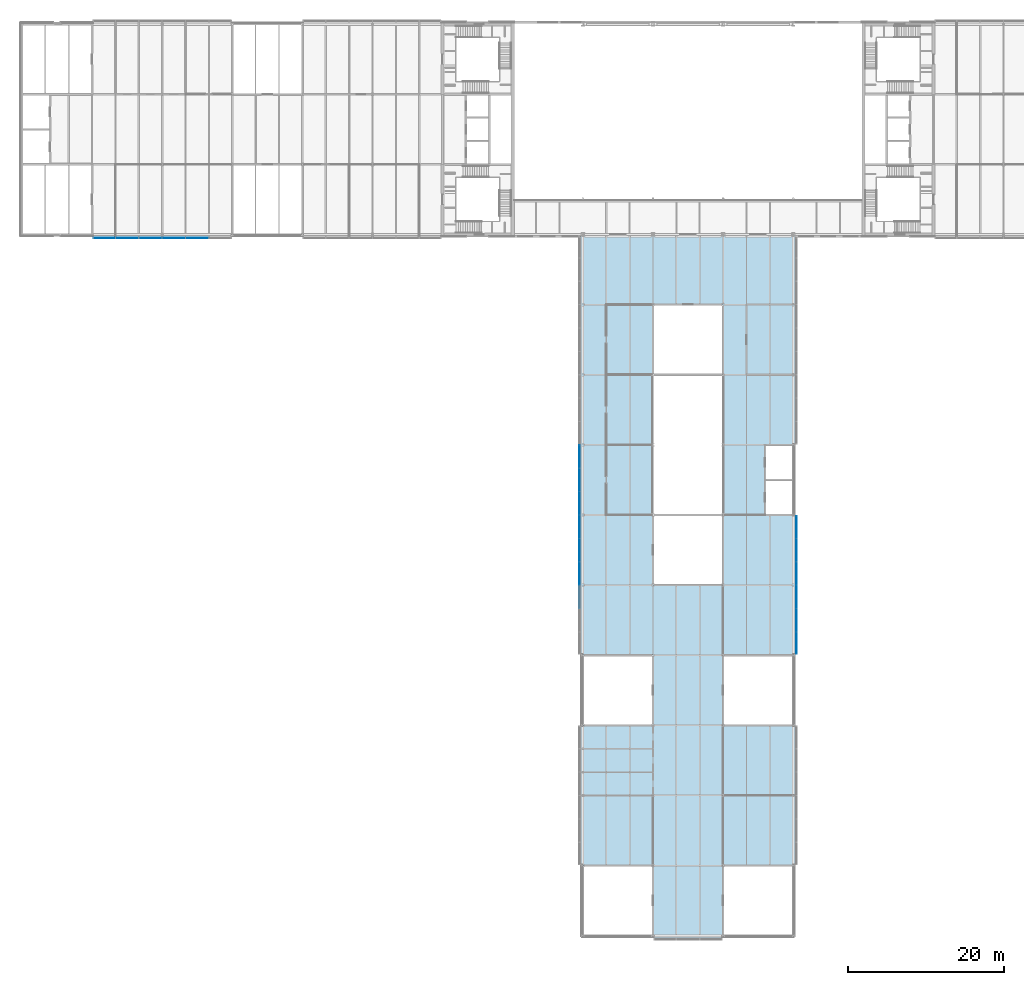
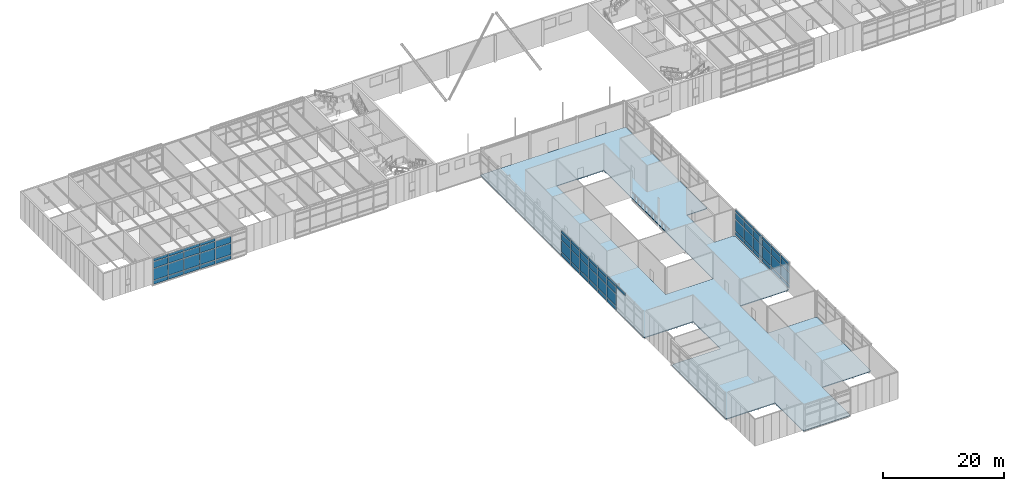
# One storey, part 30 of 46: 68 plates, 1 slab, 3 elements without a shape of their own.
"""IFC4 building model written with IfcOpenShell, lengths in metres."""

from ifc_helpers import new_model, si_unit, direction, frame, origin, origin_2d, place, context, subcontext, project, spatial, polyline, rectangle, outline, extrude, material, layer, layer_set, type_object, element, aggregate, save


model = new_model("IFC4")

# Units and contexts
model_context = context("Model", 3, precision=1e-05, world=origin(), true_north=direction((0.0, 1.0)))
body_context = subcontext(model_context, "Body", "Model", "MODEL_VIEW")
ifc_project = project(units=[si_unit("LENGTHUNIT", "METRE"), si_unit("AREAUNIT", "SQUARE_METRE"), si_unit("VOLUMEUNIT", "CUBIC_METRE"), si_unit("PLANEANGLEUNIT", "RADIAN"), si_unit("MASSUNIT", "GRAM", prefix="KILO")], contexts=[model_context])

# Site, building, storey
site_placement = place(None, origin())
site = spatial("IfcSite", under=ifc_project, at=site_placement, CompositionType="ELEMENT")
building_placement = place(site_placement, origin())
building = spatial("IfcBuilding", under=site, at=building_placement, Name="Azimuth Sports and Learning Centre", CompositionType="ELEMENT")
storey_placement = place(building_placement, frame((0.0, 0.0, 21.60009765625)))
storey = spatial("IfcBuildingStorey", under=building, at=storey_placement, Name="L04", CompositionType="ELEMENT", Elevation=21.60009765625)

# Slab
ifc_material_1 = material(Name="Concrete C30/37", Category="concrete")
ifc_layer_1 = layer(ifc_material_1, 0.14990234375)
ifc_layer_set_1 = layer_set([ifc_layer_1], Name="Concrete C30/37")
slab_type = type_object("IfcSlabType", Name="Composite floor slab 150", PredefinedType="FLOOR", material=ifc_layer_set_1)
slab_placement = place(storey_placement, frame((0.0, 0.0, -0.150146484375)))
element("IfcSlab", 1, at=slab_placement, inside=storey, type_object=slab_type, Name="Slab STEM L04", PredefinedType="FLOOR", context=body_context, shape_type="SweptSolid", body=[
    extrude(outline(polyline([(81.10009765625, -0.300048828125), (89.89990234375, -0.300048828125), (89.89990234375, 0.0), (90.0, 0.0), (90.0, 9.0), (99.0, 9.0), (99.0, 9.10009765625), (99.300048828125, 9.10009765625), (99.300048828125, 26.89990234375), (99.0, 26.89990234375), (99.0, 27.0), (90.0, 27.0), (90.0, 36.0), (99.0, 36.0), (99.0, 36.10009765625), (99.300048828125, 36.10009765625), (99.300048828125, 53.89990234375), (99.0, 53.89990234375), (99.0, 54.0), (95.39990234375, 54.0), (95.39990234375, 63.0), (99.0, 63.0), (99.0, 63.10009765625), (99.300048828125, 63.10009765625), (99.300048828125, 90.0), (71.699951171875, 90.0), (71.699951171875, 36.10009765625), (72.0, 36.10009765625), (72.0, 36.0), (81.0, 36.0), (81.0, 27.0), (72.0, 27.0), (72.0, 26.89990234375), (71.699951171875, 26.89990234375), (71.699951171875, 9.10009765625), (72.0, 9.10009765625), (72.0, 9.0), (81.0, 9.0), (81.0, 0.0), (81.10009765625, 0.0), (81.10009765625, -0.300048828125)]), holes=[polyline([(81.0, 45.0), (81.0, 81.0), (90.0, 81.0), (90.0, 45.0), (81.0, 45.0)])]), origin(), (0.0, 0.0, 1.0), 0.150146484375),
])

# Curtain wall, plates
ifc_material_2 = material(Name="Aluminium and glass", Category="aluminium")
curtain_wall_type_1 = type_object("IfcCurtainWallType", Name="Curtain wall podium wing 240", PredefinedType="NOTDEFINED", material=ifc_material_2)
curtain_wall_1_placement = place(storey_placement, origin())
curtain_wall_1 = element("IfcCurtainWall", 2, at=curtain_wall_1_placement, inside=storey, type_object=curtain_wall_type_1, Name="Curtain wall CW04-001", PredefinedType="NOTDEFINED")
ifc_material_3 = material(Name="Insulated aluminium panel", Category="aluminium")
ifc_layer_2 = layer(ifc_material_3, 0.06005859375)
ifc_layer_set_2 = layer_set([ifc_layer_2], Name="Insulated aluminium panel")
plate_type_1 = type_object("IfcPlateType", Name="Spandrel panel 60 mm", PredefinedType="CURTAIN_PANEL", material=ifc_layer_set_2)
plate_1_placement = place(storey_placement, frame((10.594970703125, 89.580078125, 0.1201171875), z_axis=(0.0, 0.0, 1.0), x_axis=(1.0, 0.0, 0.0)))
plate_1 = element("IfcPlate", 3, at=plate_1_placement, type_object=plate_type_1, Name="CW04-001 panel 1.1", PredefinedType="CURTAIN_PANEL", context=body_context, shape_type="SweptSolid", body=[
    extrude(rectangle(XDim=2.72998046875, YDim=0.06005859375, at=origin_2d()), origin(), (0.0, 0.0, 1.0), 0.719970703125),
])
plate_2_placement = place(storey_placement, frame((10.594970703125, 89.580078125, 4.760009765625), z_axis=(0.0, 0.0, 1.0), x_axis=(1.0, 0.0, 0.0)))
plate_2 = element("IfcPlate", 4, at=plate_2_placement, type_object=plate_type_1, Name="CW04-001 panel 1.4", PredefinedType="CURTAIN_PANEL", context=body_context, shape_type="SweptSolid", body=[
    extrude(rectangle(XDim=2.72998046875, YDim=0.06005859375, at=origin_2d()), origin(), (0.0, 0.0, 1.0), 0.52001953125),
])
plate_3_placement = place(storey_placement, frame((13.5, 89.580078125, 0.1201171875), z_axis=(0.0, 0.0, 1.0), x_axis=(1.0, 0.0, 0.0)))
plate_3 = element("IfcPlate", 5, at=plate_3_placement, type_object=plate_type_1, Name="CW04-001 panel 2.1", PredefinedType="CURTAIN_PANEL", context=body_context, shape_type="SweptSolid", body=[
    extrude(rectangle(XDim=2.919921875, YDim=0.06005859375, at=origin_2d()), origin(), (0.0, 0.0, 1.0), 0.719970703125),
])
plate_4_placement = place(storey_placement, frame((13.5, 89.580078125, 4.760009765625), z_axis=(0.0, 0.0, 1.0), x_axis=(1.0, 0.0, 0.0)))
plate_4 = element("IfcPlate", 6, at=plate_4_placement, type_object=plate_type_1, Name="CW04-001 panel 2.4", PredefinedType="CURTAIN_PANEL", context=body_context, shape_type="SweptSolid", body=[
    extrude(rectangle(XDim=2.919921875, YDim=0.06005859375, at=origin_2d()), origin(), (0.0, 0.0, 1.0), 0.52001953125),
])
plate_5_placement = place(storey_placement, frame((16.5, 89.580078125, 0.1201171875), z_axis=(0.0, 0.0, 1.0), x_axis=(1.0, 0.0, 0.0)))
plate_5 = element("IfcPlate", 7, at=plate_5_placement, type_object=plate_type_1, Name="CW04-001 panel 3.1", PredefinedType="CURTAIN_PANEL", context=body_context, shape_type="SweptSolid", body=[
    extrude(rectangle(XDim=2.919921875, YDim=0.06005859375, at=origin_2d()), origin(), (0.0, 0.0, 1.0), 0.719970703125),
])
plate_6_placement = place(storey_placement, frame((16.5, 89.580078125, 4.760009765625), z_axis=(0.0, 0.0, 1.0), x_axis=(1.0, 0.0, 0.0)))
plate_6 = element("IfcPlate", 8, at=plate_6_placement, type_object=plate_type_1, Name="CW04-001 panel 3.4", PredefinedType="CURTAIN_PANEL", context=body_context, shape_type="SweptSolid", body=[
    extrude(rectangle(XDim=2.919921875, YDim=0.06005859375, at=origin_2d()), origin(), (0.0, 0.0, 1.0), 0.52001953125),
])
plate_7_placement = place(storey_placement, frame((19.5, 89.580078125, 0.1201171875), z_axis=(0.0, 0.0, 1.0), x_axis=(1.0, 0.0, 0.0)))
plate_7 = element("IfcPlate", 9, at=plate_7_placement, type_object=plate_type_1, Name="CW04-001 panel 4.1", PredefinedType="CURTAIN_PANEL", context=body_context, shape_type="SweptSolid", body=[
    extrude(rectangle(XDim=2.919921875, YDim=0.06005859375, at=origin_2d()), origin(), (0.0, 0.0, 1.0), 0.719970703125),
])
plate_8_placement = place(storey_placement, frame((19.5, 89.580078125, 4.760009765625), z_axis=(0.0, 0.0, 1.0), x_axis=(1.0, 0.0, 0.0)))
plate_8 = element("IfcPlate", 10, at=plate_8_placement, type_object=plate_type_1, Name="CW04-001 panel 4.4", PredefinedType="CURTAIN_PANEL", context=body_context, shape_type="SweptSolid", body=[
    extrude(rectangle(XDim=2.919921875, YDim=0.06005859375, at=origin_2d()), origin(), (0.0, 0.0, 1.0), 0.52001953125),
])
plate_9_placement = place(storey_placement, frame((22.5, 89.580078125, 0.1201171875), z_axis=(0.0, 0.0, 1.0), x_axis=(1.0, 0.0, 0.0)))
plate_9 = element("IfcPlate", 11, at=plate_9_placement, type_object=plate_type_1, Name="CW04-001 panel 5.1", PredefinedType="CURTAIN_PANEL", context=body_context, shape_type="SweptSolid", body=[
    extrude(rectangle(XDim=2.919921875, YDim=0.06005859375, at=origin_2d()), origin(), (0.0, 0.0, 1.0), 0.719970703125),
])

ifc_material_4 = material(Name="Aluminium and glass", Category="aluminium")
curtain_wall_type_2 = type_object("IfcCurtainWallType", Name="Curtain wall podium stem 240", PredefinedType="NOTDEFINED", material=ifc_material_4)
curtain_wall_2_placement = place(storey_placement, origin())
curtain_wall_2 = element("IfcCurtainWall", 12, at=curtain_wall_2_placement, inside=storey, type_object=curtain_wall_type_2, Name="Curtain wall CW04-003", PredefinedType="NOTDEFINED")
plate_10_placement = place(storey_placement, frame((71.580078125, 61.5, 0.1201171875), z_axis=(0.0, 0.0, 1.0), x_axis=(0.0, -1.0, 0.0)))
plate_10 = element("IfcPlate", 13, at=plate_10_placement, type_object=plate_type_1, Name="CW04-003 panel 10.1", PredefinedType="CURTAIN_PANEL", context=body_context, shape_type="SweptSolid", body=[
    extrude(rectangle(XDim=2.919921875, YDim=0.06005859375, at=origin_2d()), origin(), (0.0, 0.0, 1.0), 0.719970703125),
])
plate_11_placement = place(storey_placement, frame((71.580078125, 61.5, 4.760009765625), z_axis=(0.0, 0.0, 1.0), x_axis=(0.0, -1.0, 0.0)))
plate_11 = element("IfcPlate", 14, at=plate_11_placement, type_object=plate_type_1, Name="CW04-003 panel 10.4", PredefinedType="CURTAIN_PANEL", context=body_context, shape_type="SweptSolid", body=[
    extrude(rectangle(XDim=2.919921875, YDim=0.06005859375, at=origin_2d()), origin(), (0.0, 0.0, 1.0), 0.52001953125),
])
plate_12_placement = place(storey_placement, frame((71.580078125, 58.5, 0.1201171875), z_axis=(0.0, 0.0, 1.0), x_axis=(0.0, -1.0, 0.0)))
plate_12 = element("IfcPlate", 15, at=plate_12_placement, type_object=plate_type_1, Name="CW04-003 panel 11.1", PredefinedType="CURTAIN_PANEL", context=body_context, shape_type="SweptSolid", body=[
    extrude(rectangle(XDim=2.919921875, YDim=0.06005859375, at=origin_2d()), origin(), (0.0, 0.0, 1.0), 0.719970703125),
])
plate_13_placement = place(storey_placement, frame((71.580078125, 58.5, 4.760009765625), z_axis=(0.0, 0.0, 1.0), x_axis=(0.0, -1.0, 0.0)))
plate_13 = element("IfcPlate", 16, at=plate_13_placement, type_object=plate_type_1, Name="CW04-003 panel 11.4", PredefinedType="CURTAIN_PANEL", context=body_context, shape_type="SweptSolid", body=[
    extrude(rectangle(XDim=2.919921875, YDim=0.06005859375, at=origin_2d()), origin(), (0.0, 0.0, 1.0), 0.52001953125),
])
plate_14_placement = place(storey_placement, frame((71.580078125, 55.5, 0.1201171875), z_axis=(0.0, 0.0, 1.0), x_axis=(0.0, -1.0, 0.0)))
plate_14 = element("IfcPlate", 17, at=plate_14_placement, type_object=plate_type_1, Name="CW04-003 panel 12.1", PredefinedType="CURTAIN_PANEL", context=body_context, shape_type="SweptSolid", body=[
    extrude(rectangle(XDim=2.919921875, YDim=0.06005859375, at=origin_2d()), origin(), (0.0, 0.0, 1.0), 0.719970703125),
])
plate_15_placement = place(storey_placement, frame((71.580078125, 55.5, 4.760009765625), z_axis=(0.0, 0.0, 1.0), x_axis=(0.0, -1.0, 0.0)))
plate_15 = element("IfcPlate", 18, at=plate_15_placement, type_object=plate_type_1, Name="CW04-003 panel 12.4", PredefinedType="CURTAIN_PANEL", context=body_context, shape_type="SweptSolid", body=[
    extrude(rectangle(XDim=2.919921875, YDim=0.06005859375, at=origin_2d()), origin(), (0.0, 0.0, 1.0), 0.52001953125),
])
plate_16_placement = place(storey_placement, frame((71.580078125, 52.5, 0.1201171875), z_axis=(0.0, 0.0, 1.0), x_axis=(0.0, -1.0, 0.0)))
plate_16 = element("IfcPlate", 19, at=plate_16_placement, type_object=plate_type_1, Name="CW04-003 panel 13.1", PredefinedType="CURTAIN_PANEL", context=body_context, shape_type="SweptSolid", body=[
    extrude(rectangle(XDim=2.919921875, YDim=0.06005859375, at=origin_2d()), origin(), (0.0, 0.0, 1.0), 0.719970703125),
])
plate_17_placement = place(storey_placement, frame((71.580078125, 52.5, 4.760009765625), z_axis=(0.0, 0.0, 1.0), x_axis=(0.0, -1.0, 0.0)))
plate_17 = element("IfcPlate", 20, at=plate_17_placement, type_object=plate_type_1, Name="CW04-003 panel 13.4", PredefinedType="CURTAIN_PANEL", context=body_context, shape_type="SweptSolid", body=[
    extrude(rectangle(XDim=2.919921875, YDim=0.06005859375, at=origin_2d()), origin(), (0.0, 0.0, 1.0), 0.52001953125),
])
plate_18_placement = place(storey_placement, frame((71.580078125, 49.5, 0.1201171875), z_axis=(0.0, 0.0, 1.0), x_axis=(0.0, -1.0, 0.0)))
plate_18 = element("IfcPlate", 21, at=plate_18_placement, type_object=plate_type_1, Name="CW04-003 panel 14.1", PredefinedType="CURTAIN_PANEL", context=body_context, shape_type="SweptSolid", body=[
    extrude(rectangle(XDim=2.919921875, YDim=0.06005859375, at=origin_2d()), origin(), (0.0, 0.0, 1.0), 0.719970703125),
])
plate_19_placement = place(storey_placement, frame((71.580078125, 49.5, 4.760009765625), z_axis=(0.0, 0.0, 1.0), x_axis=(0.0, -1.0, 0.0)))
plate_19 = element("IfcPlate", 22, at=plate_19_placement, type_object=plate_type_1, Name="CW04-003 panel 14.4", PredefinedType="CURTAIN_PANEL", context=body_context, shape_type="SweptSolid", body=[
    extrude(rectangle(XDim=2.919921875, YDim=0.06005859375, at=origin_2d()), origin(), (0.0, 0.0, 1.0), 0.52001953125),
])
plate_20_placement = place(storey_placement, frame((71.580078125, 46.5, 0.1201171875), z_axis=(0.0, 0.0, 1.0), x_axis=(0.0, -1.0, 0.0)))
plate_20 = element("IfcPlate", 23, at=plate_20_placement, type_object=plate_type_1, Name="CW04-003 panel 15.1", PredefinedType="CURTAIN_PANEL", context=body_context, shape_type="SweptSolid", body=[
    extrude(rectangle(XDim=2.919921875, YDim=0.06005859375, at=origin_2d()), origin(), (0.0, 0.0, 1.0), 0.719970703125),
])
plate_21_placement = place(storey_placement, frame((71.580078125, 46.5, 4.760009765625), z_axis=(0.0, 0.0, 1.0), x_axis=(0.0, -1.0, 0.0)))
plate_21 = element("IfcPlate", 24, at=plate_21_placement, type_object=plate_type_1, Name="CW04-003 panel 15.4", PredefinedType="CURTAIN_PANEL", context=body_context, shape_type="SweptSolid", body=[
    extrude(rectangle(XDim=2.919921875, YDim=0.06005859375, at=origin_2d()), origin(), (0.0, 0.0, 1.0), 0.52001953125),
])
plate_22_placement = place(storey_placement, frame((71.580078125, 43.5, 4.760009765625), z_axis=(0.0, 0.0, 1.0), x_axis=(0.0, -1.0, 0.0)))
plate_22 = element("IfcPlate", 25, at=plate_22_placement, type_object=plate_type_1, Name="CW04-003 panel 16.4", PredefinedType="CURTAIN_PANEL", context=body_context, shape_type="SweptSolid", body=[
    extrude(rectangle(XDim=2.919921875, YDim=0.06005859375, at=origin_2d()), origin(), (0.0, 0.0, 1.0), 0.52001953125),
])

curtain_wall_3_placement = place(storey_placement, origin())
curtain_wall_3 = element("IfcCurtainWall", 26, at=curtain_wall_3_placement, inside=storey, type_object=curtain_wall_type_2, Name="Curtain wall CW04-007", PredefinedType="NOTDEFINED")
plate_23_placement = place(storey_placement, frame((99.419921875, 37.570068359375, 0.1201171875), z_axis=(0.0, 0.0, 1.0), x_axis=(0.0, 1.0, 0.0)))
plate_23 = element("IfcPlate", 27, at=plate_23_placement, type_object=plate_type_1, Name="CW04-007 panel 1.1", PredefinedType="CURTAIN_PANEL", context=body_context, shape_type="SweptSolid", body=[
    extrude(rectangle(XDim=2.780029296875, YDim=0.06005859375, at=origin_2d()), origin(), (0.0, 0.0, 1.0), 0.719970703125),
])
plate_24_placement = place(storey_placement, frame((99.419921875, 37.570068359375, 4.760009765625), z_axis=(0.0, 0.0, 1.0), x_axis=(0.0, 1.0, 0.0)))
plate_24 = element("IfcPlate", 28, at=plate_24_placement, type_object=plate_type_1, Name="CW04-007 panel 1.4", PredefinedType="CURTAIN_PANEL", context=body_context, shape_type="SweptSolid", body=[
    extrude(rectangle(XDim=2.780029296875, YDim=0.06005859375, at=origin_2d()), origin(), (0.0, 0.0, 1.0), 0.52001953125),
])
plate_25_placement = place(storey_placement, frame((99.419921875, 40.5, 0.1201171875), z_axis=(0.0, 0.0, 1.0), x_axis=(0.0, 1.0, 0.0)))
plate_25 = element("IfcPlate", 29, at=plate_25_placement, type_object=plate_type_1, Name="CW04-007 panel 2.1", PredefinedType="CURTAIN_PANEL", context=body_context, shape_type="SweptSolid", body=[
    extrude(rectangle(XDim=2.919921875, YDim=0.06005859375, at=origin_2d()), origin(), (0.0, 0.0, 1.0), 0.719970703125),
])
plate_26_placement = place(storey_placement, frame((99.419921875, 40.5, 4.760009765625), z_axis=(0.0, 0.0, 1.0), x_axis=(0.0, 1.0, 0.0)))
plate_26 = element("IfcPlate", 30, at=plate_26_placement, type_object=plate_type_1, Name="CW04-007 panel 2.4", PredefinedType="CURTAIN_PANEL", context=body_context, shape_type="SweptSolid", body=[
    extrude(rectangle(XDim=2.919921875, YDim=0.06005859375, at=origin_2d()), origin(), (0.0, 0.0, 1.0), 0.52001953125),
])
plate_27_placement = place(storey_placement, frame((99.419921875, 43.5, 0.1201171875), z_axis=(0.0, 0.0, 1.0), x_axis=(0.0, 1.0, 0.0)))
plate_27 = element("IfcPlate", 31, at=plate_27_placement, type_object=plate_type_1, Name="CW04-007 panel 3.1", PredefinedType="CURTAIN_PANEL", context=body_context, shape_type="SweptSolid", body=[
    extrude(rectangle(XDim=2.919921875, YDim=0.06005859375, at=origin_2d()), origin(), (0.0, 0.0, 1.0), 0.719970703125),
])
plate_28_placement = place(storey_placement, frame((99.419921875, 43.5, 4.760009765625), z_axis=(0.0, 0.0, 1.0), x_axis=(0.0, 1.0, 0.0)))
plate_28 = element("IfcPlate", 32, at=plate_28_placement, type_object=plate_type_1, Name="CW04-007 panel 3.4", PredefinedType="CURTAIN_PANEL", context=body_context, shape_type="SweptSolid", body=[
    extrude(rectangle(XDim=2.919921875, YDim=0.06005859375, at=origin_2d()), origin(), (0.0, 0.0, 1.0), 0.52001953125),
])
plate_29_placement = place(storey_placement, frame((99.419921875, 46.5, 0.1201171875), z_axis=(0.0, 0.0, 1.0), x_axis=(0.0, 1.0, 0.0)))
plate_29 = element("IfcPlate", 33, at=plate_29_placement, type_object=plate_type_1, Name="CW04-007 panel 4.1", PredefinedType="CURTAIN_PANEL", context=body_context, shape_type="SweptSolid", body=[
    extrude(rectangle(XDim=2.919921875, YDim=0.06005859375, at=origin_2d()), origin(), (0.0, 0.0, 1.0), 0.719970703125),
])
plate_30_placement = place(storey_placement, frame((99.419921875, 46.5, 4.760009765625), z_axis=(0.0, 0.0, 1.0), x_axis=(0.0, 1.0, 0.0)))
plate_30 = element("IfcPlate", 34, at=plate_30_placement, type_object=plate_type_1, Name="CW04-007 panel 4.4", PredefinedType="CURTAIN_PANEL", context=body_context, shape_type="SweptSolid", body=[
    extrude(rectangle(XDim=2.919921875, YDim=0.06005859375, at=origin_2d()), origin(), (0.0, 0.0, 1.0), 0.52001953125),
])
plate_31_placement = place(storey_placement, frame((99.419921875, 49.5, 0.1201171875), z_axis=(0.0, 0.0, 1.0), x_axis=(0.0, 1.0, 0.0)))
plate_31 = element("IfcPlate", 35, at=plate_31_placement, type_object=plate_type_1, Name="CW04-007 panel 5.1", PredefinedType="CURTAIN_PANEL", context=body_context, shape_type="SweptSolid", body=[
    extrude(rectangle(XDim=2.919921875, YDim=0.06005859375, at=origin_2d()), origin(), (0.0, 0.0, 1.0), 0.719970703125),
])
plate_32_placement = place(storey_placement, frame((99.419921875, 49.5, 4.760009765625), z_axis=(0.0, 0.0, 1.0), x_axis=(0.0, 1.0, 0.0)))
plate_32 = element("IfcPlate", 36, at=plate_32_placement, type_object=plate_type_1, Name="CW04-007 panel 5.4", PredefinedType="CURTAIN_PANEL", context=body_context, shape_type="SweptSolid", body=[
    extrude(rectangle(XDim=2.919921875, YDim=0.06005859375, at=origin_2d()), origin(), (0.0, 0.0, 1.0), 0.52001953125),
])
plate_33_placement = place(storey_placement, frame((99.419921875, 52.429931640625, 0.1201171875), z_axis=(0.0, 0.0, 1.0), x_axis=(0.0, 1.0, 0.0)))
plate_33 = element("IfcPlate", 37, at=plate_33_placement, type_object=plate_type_1, Name="CW04-007 panel 6.1", PredefinedType="CURTAIN_PANEL", context=body_context, shape_type="SweptSolid", body=[
    extrude(rectangle(XDim=2.780029296875, YDim=0.06005859375, at=origin_2d()), origin(), (0.0, 0.0, 1.0), 0.719970703125),
])
plate_34_placement = place(storey_placement, frame((99.419921875, 52.429931640625, 4.760009765625), z_axis=(0.0, 0.0, 1.0), x_axis=(0.0, 1.0, 0.0)))
plate_34 = element("IfcPlate", 38, at=plate_34_placement, type_object=plate_type_1, Name="CW04-007 panel 6.4", PredefinedType="CURTAIN_PANEL", context=body_context, shape_type="SweptSolid", body=[
    extrude(rectangle(XDim=2.780029296875, YDim=0.06005859375, at=origin_2d()), origin(), (0.0, 0.0, 1.0), 0.52001953125),
])

# Plate
ifc_material_5 = material(Name="Glass", Category="glass")
ifc_layer_3 = layer(ifc_material_5, 0.0439453125)
ifc_layer_set_3 = layer_set([ifc_layer_3], Name="Glass")
plate_type_2 = type_object("IfcPlateType", Name="Vision glass 44 mm", PredefinedType="CURTAIN_PANEL", material=ifc_layer_set_3)
plate_35_placement = place(storey_placement, frame((10.594970703125, 89.580078125, 0.9599609375), z_axis=(0.0, 0.0, 1.0), x_axis=(1.0, 0.0, 0.0)))
plate_35 = element("IfcPlate", 39, at=plate_35_placement, type_object=plate_type_2, Name="CW04-001 panel 1.2", PredefinedType="CURTAIN_PANEL", context=body_context, shape_type="SweptSolid", body=[
    extrude(rectangle(XDim=2.72998046875, YDim=0.0439453125, at=origin_2d()), origin(), (0.0, 0.0, 1.0), 2.280029296875),
])

plate_36_placement = place(storey_placement, frame((10.594970703125, 89.580078125, 3.35986328125), z_axis=(0.0, 0.0, 1.0), x_axis=(1.0, 0.0, 0.0)))
plate_36 = element("IfcPlate", 40, at=plate_36_placement, type_object=plate_type_2, Name="CW04-001 panel 1.3", PredefinedType="CURTAIN_PANEL", context=body_context, shape_type="SweptSolid", body=[
    extrude(rectangle(XDim=2.72998046875, YDim=0.0439453125, at=origin_2d()), origin(), (0.0, 0.0, 1.0), 1.280029296875),
])

plate_37_placement = place(storey_placement, frame((13.5, 89.580078125, 0.9599609375), z_axis=(0.0, 0.0, 1.0), x_axis=(1.0, 0.0, 0.0)))
plate_37 = element("IfcPlate", 41, at=plate_37_placement, type_object=plate_type_2, Name="CW04-001 panel 2.2", PredefinedType="CURTAIN_PANEL", context=body_context, shape_type="SweptSolid", body=[
    extrude(rectangle(XDim=2.919921875, YDim=0.0439453125, at=origin_2d()), origin(), (0.0, 0.0, 1.0), 2.280029296875),
])

plate_38_placement = place(storey_placement, frame((13.5, 89.580078125, 3.35986328125), z_axis=(0.0, 0.0, 1.0), x_axis=(1.0, 0.0, 0.0)))
plate_38 = element("IfcPlate", 42, at=plate_38_placement, type_object=plate_type_2, Name="CW04-001 panel 2.3", PredefinedType="CURTAIN_PANEL", context=body_context, shape_type="SweptSolid", body=[
    extrude(rectangle(XDim=2.919921875, YDim=0.0439453125, at=origin_2d()), origin(), (0.0, 0.0, 1.0), 1.280029296875),
])

plate_39_placement = place(storey_placement, frame((16.5, 89.580078125, 0.9599609375), z_axis=(0.0, 0.0, 1.0), x_axis=(1.0, 0.0, 0.0)))
plate_39 = element("IfcPlate", 43, at=plate_39_placement, type_object=plate_type_2, Name="CW04-001 panel 3.2", PredefinedType="CURTAIN_PANEL", context=body_context, shape_type="SweptSolid", body=[
    extrude(rectangle(XDim=2.919921875, YDim=0.0439453125, at=origin_2d()), origin(), (0.0, 0.0, 1.0), 2.280029296875),
])

plate_40_placement = place(storey_placement, frame((16.5, 89.580078125, 3.35986328125), z_axis=(0.0, 0.0, 1.0), x_axis=(1.0, 0.0, 0.0)))
plate_40 = element("IfcPlate", 44, at=plate_40_placement, type_object=plate_type_2, Name="CW04-001 panel 3.3", PredefinedType="CURTAIN_PANEL", context=body_context, shape_type="SweptSolid", body=[
    extrude(rectangle(XDim=2.919921875, YDim=0.0439453125, at=origin_2d()), origin(), (0.0, 0.0, 1.0), 1.280029296875),
])

plate_41_placement = place(storey_placement, frame((19.5, 89.580078125, 0.9599609375), z_axis=(0.0, 0.0, 1.0), x_axis=(1.0, 0.0, 0.0)))
plate_41 = element("IfcPlate", 45, at=plate_41_placement, type_object=plate_type_2, Name="CW04-001 panel 4.2", PredefinedType="CURTAIN_PANEL", context=body_context, shape_type="SweptSolid", body=[
    extrude(rectangle(XDim=2.919921875, YDim=0.0439453125, at=origin_2d()), origin(), (0.0, 0.0, 1.0), 2.280029296875),
])

plate_42_placement = place(storey_placement, frame((19.5, 89.580078125, 3.35986328125), z_axis=(0.0, 0.0, 1.0), x_axis=(1.0, 0.0, 0.0)))
plate_42 = element("IfcPlate", 46, at=plate_42_placement, type_object=plate_type_2, Name="CW04-001 panel 4.3", PredefinedType="CURTAIN_PANEL", context=body_context, shape_type="SweptSolid", body=[
    extrude(rectangle(XDim=2.919921875, YDim=0.0439453125, at=origin_2d()), origin(), (0.0, 0.0, 1.0), 1.280029296875),
])

plate_43_placement = place(storey_placement, frame((22.5, 89.580078125, 0.9599609375), z_axis=(0.0, 0.0, 1.0), x_axis=(1.0, 0.0, 0.0)))
plate_43 = element("IfcPlate", 47, at=plate_43_placement, type_object=plate_type_2, Name="CW04-001 panel 5.2", PredefinedType="CURTAIN_PANEL", context=body_context, shape_type="SweptSolid", body=[
    extrude(rectangle(XDim=2.919921875, YDim=0.0439453125, at=origin_2d()), origin(), (0.0, 0.0, 1.0), 2.280029296875),
])

plate_44_placement = place(storey_placement, frame((22.5, 89.580078125, 3.35986328125), z_axis=(0.0, 0.0, 1.0), x_axis=(1.0, 0.0, 0.0)))
plate_44 = element("IfcPlate", 48, at=plate_44_placement, type_object=plate_type_2, Name="CW04-001 panel 5.3", PredefinedType="CURTAIN_PANEL", context=body_context, shape_type="SweptSolid", body=[
    extrude(rectangle(XDim=2.919921875, YDim=0.0439453125, at=origin_2d()), origin(), (0.0, 0.0, 1.0), 1.280029296875),
])

aggregate(curtain_wall_1, [plate_1, plate_35, plate_36, plate_2, plate_3, plate_37, plate_38, plate_4, plate_5, plate_39, plate_40, plate_6, plate_7, plate_41, plate_42, plate_8, plate_9, plate_43, plate_44])

plate_45_placement = place(storey_placement, frame((71.580078125, 61.5, 0.9599609375), z_axis=(0.0, 0.0, 1.0), x_axis=(0.0, -1.0, 0.0)))
plate_45 = element("IfcPlate", 49, at=plate_45_placement, type_object=plate_type_2, Name="CW04-003 panel 10.2", PredefinedType="CURTAIN_PANEL", context=body_context, shape_type="SweptSolid", body=[
    extrude(rectangle(XDim=2.919921875, YDim=0.0439453125, at=origin_2d()), origin(), (0.0, 0.0, 1.0), 2.280029296875),
])

plate_46_placement = place(storey_placement, frame((71.580078125, 61.5, 3.35986328125), z_axis=(0.0, 0.0, 1.0), x_axis=(0.0, -1.0, 0.0)))
plate_46 = element("IfcPlate", 50, at=plate_46_placement, type_object=plate_type_2, Name="CW04-003 panel 10.3", PredefinedType="CURTAIN_PANEL", context=body_context, shape_type="SweptSolid", body=[
    extrude(rectangle(XDim=2.919921875, YDim=0.0439453125, at=origin_2d()), origin(), (0.0, 0.0, 1.0), 1.280029296875),
])

plate_47_placement = place(storey_placement, frame((71.580078125, 58.5, 0.9599609375), z_axis=(0.0, 0.0, 1.0), x_axis=(0.0, -1.0, 0.0)))
plate_47 = element("IfcPlate", 51, at=plate_47_placement, type_object=plate_type_2, Name="CW04-003 panel 11.2", PredefinedType="CURTAIN_PANEL", context=body_context, shape_type="SweptSolid", body=[
    extrude(rectangle(XDim=2.919921875, YDim=0.0439453125, at=origin_2d()), origin(), (0.0, 0.0, 1.0), 2.280029296875),
])

plate_48_placement = place(storey_placement, frame((71.580078125, 58.5, 3.35986328125), z_axis=(0.0, 0.0, 1.0), x_axis=(0.0, -1.0, 0.0)))
plate_48 = element("IfcPlate", 52, at=plate_48_placement, type_object=plate_type_2, Name="CW04-003 panel 11.3", PredefinedType="CURTAIN_PANEL", context=body_context, shape_type="SweptSolid", body=[
    extrude(rectangle(XDim=2.919921875, YDim=0.0439453125, at=origin_2d()), origin(), (0.0, 0.0, 1.0), 1.280029296875),
])

plate_49_placement = place(storey_placement, frame((71.580078125, 55.5, 0.9599609375), z_axis=(0.0, 0.0, 1.0), x_axis=(0.0, -1.0, 0.0)))
plate_49 = element("IfcPlate", 53, at=plate_49_placement, type_object=plate_type_2, Name="CW04-003 panel 12.2", PredefinedType="CURTAIN_PANEL", context=body_context, shape_type="SweptSolid", body=[
    extrude(rectangle(XDim=2.919921875, YDim=0.0439453125, at=origin_2d()), origin(), (0.0, 0.0, 1.0), 2.280029296875),
])

plate_50_placement = place(storey_placement, frame((71.580078125, 55.5, 3.35986328125), z_axis=(0.0, 0.0, 1.0), x_axis=(0.0, -1.0, 0.0)))
plate_50 = element("IfcPlate", 54, at=plate_50_placement, type_object=plate_type_2, Name="CW04-003 panel 12.3", PredefinedType="CURTAIN_PANEL", context=body_context, shape_type="SweptSolid", body=[
    extrude(rectangle(XDim=2.919921875, YDim=0.0439453125, at=origin_2d()), origin(), (0.0, 0.0, 1.0), 1.280029296875),
])

plate_51_placement = place(storey_placement, frame((71.580078125, 52.5, 0.9599609375), z_axis=(0.0, 0.0, 1.0), x_axis=(0.0, -1.0, 0.0)))
plate_51 = element("IfcPlate", 55, at=plate_51_placement, type_object=plate_type_2, Name="CW04-003 panel 13.2", PredefinedType="CURTAIN_PANEL", context=body_context, shape_type="SweptSolid", body=[
    extrude(rectangle(XDim=2.919921875, YDim=0.0439453125, at=origin_2d()), origin(), (0.0, 0.0, 1.0), 2.280029296875),
])

plate_52_placement = place(storey_placement, frame((71.580078125, 52.5, 3.35986328125), z_axis=(0.0, 0.0, 1.0), x_axis=(0.0, -1.0, 0.0)))
plate_52 = element("IfcPlate", 56, at=plate_52_placement, type_object=plate_type_2, Name="CW04-003 panel 13.3", PredefinedType="CURTAIN_PANEL", context=body_context, shape_type="SweptSolid", body=[
    extrude(rectangle(XDim=2.919921875, YDim=0.0439453125, at=origin_2d()), origin(), (0.0, 0.0, 1.0), 1.280029296875),
])

plate_53_placement = place(storey_placement, frame((71.580078125, 49.5, 0.9599609375), z_axis=(0.0, 0.0, 1.0), x_axis=(0.0, -1.0, 0.0)))
plate_53 = element("IfcPlate", 57, at=plate_53_placement, type_object=plate_type_2, Name="CW04-003 panel 14.2", PredefinedType="CURTAIN_PANEL", context=body_context, shape_type="SweptSolid", body=[
    extrude(rectangle(XDim=2.919921875, YDim=0.0439453125, at=origin_2d()), origin(), (0.0, 0.0, 1.0), 2.280029296875),
])

plate_54_placement = place(storey_placement, frame((71.580078125, 49.5, 3.35986328125), z_axis=(0.0, 0.0, 1.0), x_axis=(0.0, -1.0, 0.0)))
plate_54 = element("IfcPlate", 58, at=plate_54_placement, type_object=plate_type_2, Name="CW04-003 panel 14.3", PredefinedType="CURTAIN_PANEL", context=body_context, shape_type="SweptSolid", body=[
    extrude(rectangle(XDim=2.919921875, YDim=0.0439453125, at=origin_2d()), origin(), (0.0, 0.0, 1.0), 1.280029296875),
])

plate_55_placement = place(storey_placement, frame((71.580078125, 46.5, 0.9599609375), z_axis=(0.0, 0.0, 1.0), x_axis=(0.0, -1.0, 0.0)))
plate_55 = element("IfcPlate", 59, at=plate_55_placement, type_object=plate_type_2, Name="CW04-003 panel 15.2", PredefinedType="CURTAIN_PANEL", context=body_context, shape_type="SweptSolid", body=[
    extrude(rectangle(XDim=2.919921875, YDim=0.0439453125, at=origin_2d()), origin(), (0.0, 0.0, 1.0), 2.280029296875),
])

plate_56_placement = place(storey_placement, frame((71.580078125, 46.5, 3.35986328125), z_axis=(0.0, 0.0, 1.0), x_axis=(0.0, -1.0, 0.0)))
plate_56 = element("IfcPlate", 60, at=plate_56_placement, type_object=plate_type_2, Name="CW04-003 panel 15.3", PredefinedType="CURTAIN_PANEL", context=body_context, shape_type="SweptSolid", body=[
    extrude(rectangle(XDim=2.919921875, YDim=0.0439453125, at=origin_2d()), origin(), (0.0, 0.0, 1.0), 1.280029296875),
])

aggregate(curtain_wall_2, [plate_10, plate_45, plate_46, plate_11, plate_12, plate_47, plate_48, plate_13, plate_14, plate_49, plate_50, plate_15, plate_16, plate_51, plate_52, plate_17, plate_18, plate_53, plate_54, plate_19, plate_20, plate_55, plate_56, plate_21, plate_22])

plate_57_placement = place(storey_placement, frame((99.419921875, 37.570068359375, 0.9599609375), z_axis=(0.0, 0.0, 1.0), x_axis=(0.0, 1.0, 0.0)))
plate_57 = element("IfcPlate", 61, at=plate_57_placement, type_object=plate_type_2, Name="CW04-007 panel 1.2", PredefinedType="CURTAIN_PANEL", context=body_context, shape_type="SweptSolid", body=[
    extrude(rectangle(XDim=2.780029296875, YDim=0.0439453125, at=origin_2d()), origin(), (0.0, 0.0, 1.0), 2.280029296875),
])

plate_58_placement = place(storey_placement, frame((99.419921875, 37.570068359375, 3.35986328125), z_axis=(0.0, 0.0, 1.0), x_axis=(0.0, 1.0, 0.0)))
plate_58 = element("IfcPlate", 62, at=plate_58_placement, type_object=plate_type_2, Name="CW04-007 panel 1.3", PredefinedType="CURTAIN_PANEL", context=body_context, shape_type="SweptSolid", body=[
    extrude(rectangle(XDim=2.780029296875, YDim=0.0439453125, at=origin_2d()), origin(), (0.0, 0.0, 1.0), 1.280029296875),
])

plate_59_placement = place(storey_placement, frame((99.419921875, 40.5, 0.9599609375), z_axis=(0.0, 0.0, 1.0), x_axis=(0.0, 1.0, 0.0)))
plate_59 = element("IfcPlate", 63, at=plate_59_placement, type_object=plate_type_2, Name="CW04-007 panel 2.2", PredefinedType="CURTAIN_PANEL", context=body_context, shape_type="SweptSolid", body=[
    extrude(rectangle(XDim=2.919921875, YDim=0.0439453125, at=origin_2d()), origin(), (0.0, 0.0, 1.0), 2.280029296875),
])

plate_60_placement = place(storey_placement, frame((99.419921875, 40.5, 3.35986328125), z_axis=(0.0, 0.0, 1.0), x_axis=(0.0, 1.0, 0.0)))
plate_60 = element("IfcPlate", 64, at=plate_60_placement, type_object=plate_type_2, Name="CW04-007 panel 2.3", PredefinedType="CURTAIN_PANEL", context=body_context, shape_type="SweptSolid", body=[
    extrude(rectangle(XDim=2.919921875, YDim=0.0439453125, at=origin_2d()), origin(), (0.0, 0.0, 1.0), 1.280029296875),
])

plate_61_placement = place(storey_placement, frame((99.419921875, 43.5, 0.9599609375), z_axis=(0.0, 0.0, 1.0), x_axis=(0.0, 1.0, 0.0)))
plate_61 = element("IfcPlate", 65, at=plate_61_placement, type_object=plate_type_2, Name="CW04-007 panel 3.2", PredefinedType="CURTAIN_PANEL", context=body_context, shape_type="SweptSolid", body=[
    extrude(rectangle(XDim=2.919921875, YDim=0.0439453125, at=origin_2d()), origin(), (0.0, 0.0, 1.0), 2.280029296875),
])

plate_62_placement = place(storey_placement, frame((99.419921875, 43.5, 3.35986328125), z_axis=(0.0, 0.0, 1.0), x_axis=(0.0, 1.0, 0.0)))
plate_62 = element("IfcPlate", 66, at=plate_62_placement, type_object=plate_type_2, Name="CW04-007 panel 3.3", PredefinedType="CURTAIN_PANEL", context=body_context, shape_type="SweptSolid", body=[
    extrude(rectangle(XDim=2.919921875, YDim=0.0439453125, at=origin_2d()), origin(), (0.0, 0.0, 1.0), 1.280029296875),
])

plate_63_placement = place(storey_placement, frame((99.419921875, 46.5, 0.9599609375), z_axis=(0.0, 0.0, 1.0), x_axis=(0.0, 1.0, 0.0)))
plate_63 = element("IfcPlate", 67, at=plate_63_placement, type_object=plate_type_2, Name="CW04-007 panel 4.2", PredefinedType="CURTAIN_PANEL", context=body_context, shape_type="SweptSolid", body=[
    extrude(rectangle(XDim=2.919921875, YDim=0.0439453125, at=origin_2d()), origin(), (0.0, 0.0, 1.0), 2.280029296875),
])

plate_64_placement = place(storey_placement, frame((99.419921875, 46.5, 3.35986328125), z_axis=(0.0, 0.0, 1.0), x_axis=(0.0, 1.0, 0.0)))
plate_64 = element("IfcPlate", 68, at=plate_64_placement, type_object=plate_type_2, Name="CW04-007 panel 4.3", PredefinedType="CURTAIN_PANEL", context=body_context, shape_type="SweptSolid", body=[
    extrude(rectangle(XDim=2.919921875, YDim=0.0439453125, at=origin_2d()), origin(), (0.0, 0.0, 1.0), 1.280029296875),
])

plate_65_placement = place(storey_placement, frame((99.419921875, 49.5, 0.9599609375), z_axis=(0.0, 0.0, 1.0), x_axis=(0.0, 1.0, 0.0)))
plate_65 = element("IfcPlate", 69, at=plate_65_placement, type_object=plate_type_2, Name="CW04-007 panel 5.2", PredefinedType="CURTAIN_PANEL", context=body_context, shape_type="SweptSolid", body=[
    extrude(rectangle(XDim=2.919921875, YDim=0.0439453125, at=origin_2d()), origin(), (0.0, 0.0, 1.0), 2.280029296875),
])

plate_66_placement = place(storey_placement, frame((99.419921875, 49.5, 3.35986328125), z_axis=(0.0, 0.0, 1.0), x_axis=(0.0, 1.0, 0.0)))
plate_66 = element("IfcPlate", 70, at=plate_66_placement, type_object=plate_type_2, Name="CW04-007 panel 5.3", PredefinedType="CURTAIN_PANEL", context=body_context, shape_type="SweptSolid", body=[
    extrude(rectangle(XDim=2.919921875, YDim=0.0439453125, at=origin_2d()), origin(), (0.0, 0.0, 1.0), 1.280029296875),
])

plate_67_placement = place(storey_placement, frame((99.419921875, 52.429931640625, 0.9599609375), z_axis=(0.0, 0.0, 1.0), x_axis=(0.0, 1.0, 0.0)))
plate_67 = element("IfcPlate", 71, at=plate_67_placement, type_object=plate_type_2, Name="CW04-007 panel 6.2", PredefinedType="CURTAIN_PANEL", context=body_context, shape_type="SweptSolid", body=[
    extrude(rectangle(XDim=2.780029296875, YDim=0.0439453125, at=origin_2d()), origin(), (0.0, 0.0, 1.0), 2.280029296875),
])

plate_68_placement = place(storey_placement, frame((99.419921875, 52.429931640625, 3.35986328125), z_axis=(0.0, 0.0, 1.0), x_axis=(0.0, 1.0, 0.0)))
plate_68 = element("IfcPlate", 72, at=plate_68_placement, type_object=plate_type_2, Name="CW04-007 panel 6.3", PredefinedType="CURTAIN_PANEL", context=body_context, shape_type="SweptSolid", body=[
    extrude(rectangle(XDim=2.780029296875, YDim=0.0439453125, at=origin_2d()), origin(), (0.0, 0.0, 1.0), 1.280029296875),
])

aggregate(curtain_wall_3, [plate_23, plate_57, plate_58, plate_24, plate_25, plate_59, plate_60, plate_26, plate_27, plate_61, plate_62, plate_28, plate_29, plate_63, plate_64, plate_30, plate_31, plate_65, plate_66, plate_32, plate_33, plate_67, plate_68, plate_34])

save(model, "model.ifc")
